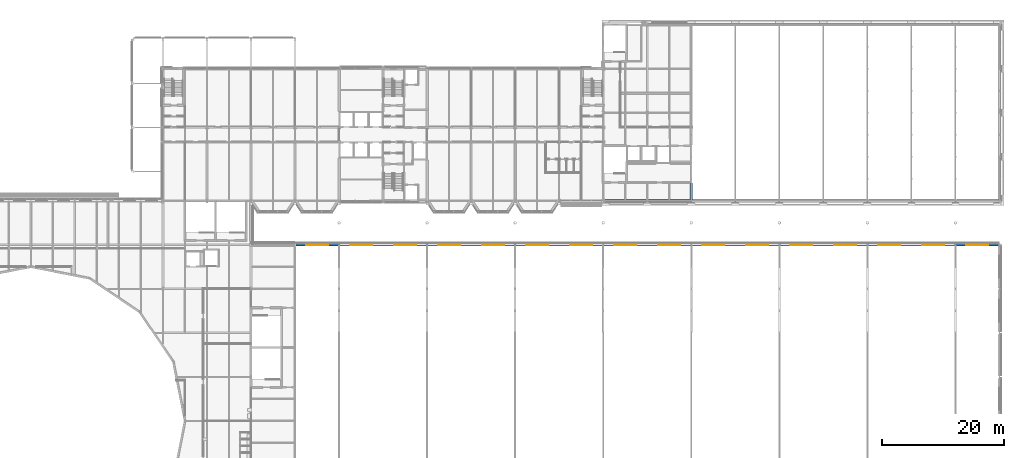
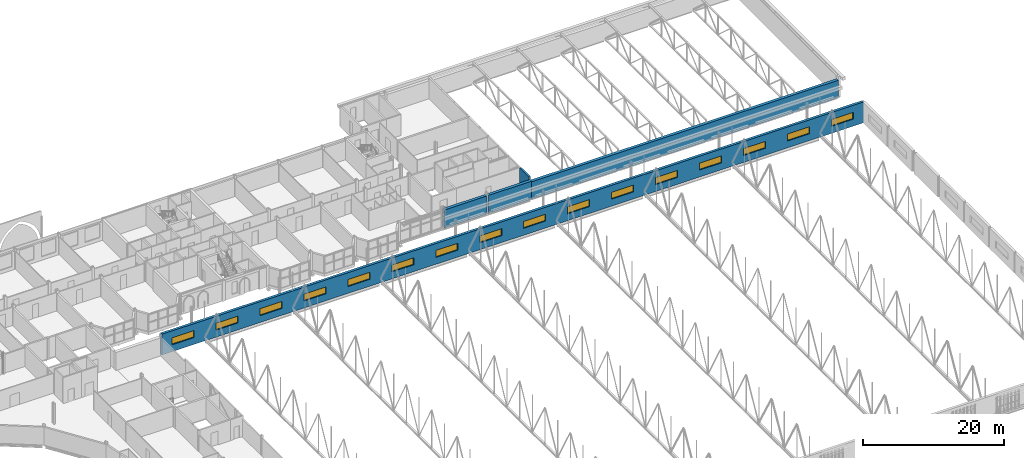
# One storey, part 102 of 142: 16 windows, 5 walls, 16 openings.
"""IFC4 building model written with IfcOpenShell, lengths in metres."""

from ifc_helpers import new_model, si_unit, direction, frame, frame_2d, origin, place, context, subcontext, project, spatial, rectangle, extrude, material, layer, layer_set, type_object, element, fill, save


model = new_model("IFC4")

# Units and contexts
model_context = context("Model", 3, precision=1e-05, world=origin(), true_north=direction((0.0, 1.0)))
body_context = subcontext(model_context, "Body", "Model", "MODEL_VIEW")
ifc_project = project(units=[si_unit("LENGTHUNIT", "METRE"), si_unit("AREAUNIT", "SQUARE_METRE"), si_unit("VOLUMEUNIT", "CUBIC_METRE"), si_unit("PLANEANGLEUNIT", "RADIAN"), si_unit("MASSUNIT", "GRAM", prefix="KILO")], contexts=[model_context])

# Site, building, storey
site_placement = place(None, origin())
site = spatial("IfcSite", under=ifc_project, at=site_placement, CompositionType="ELEMENT")
building_placement = place(site_placement, origin())
building = spatial("IfcBuilding", under=site, at=building_placement, Name="Kupolbacken Congress Centre", CompositionType="ELEMENT")
storey_placement = place(building_placement, frame((0.0, 0.0, 14.39990234375)))
storey = spatial("IfcBuildingStorey", under=building, at=storey_placement, Name="L04", CompositionType="ELEMENT", Elevation=14.39990234375)

# Wall, openings, windows
ifc_material_1 = material(Name="Brick", Category="masonry")
ifc_layer_1 = layer(ifc_material_1, 0.10791015625)
ifc_material_2 = material(Name="Air cavity", Category="air")
ifc_layer_2 = layer(ifc_material_2, 0.0400390625, ventilated=True)
ifc_material_3 = material(Name="Mineral wool", Category="insulation")
ifc_layer_3 = layer(ifc_material_3, 0.152099609375)
ifc_material_4 = material(Name="Concrete block", Category="masonry")
ifc_layer_4 = layer(ifc_material_4, 0.1201171875)
ifc_layer_set_1 = layer_set([ifc_layer_1, ifc_layer_2, ifc_layer_3, ifc_layer_4], Name="Brick / Mineral wool / Concrete block")
wall_type_1 = type_object("IfcWallType", Name="EW04 external cavity wall 420", PredefinedType="SOLIDWALL", material=ifc_layer_set_1)
wall_1_placement = place(storey_placement, frame((201.449951171875, 115.199951171875, 0.0), z_axis=(0.0, 0.0, 1.0), x_axis=(-1.0, 0.0, 0.0)))
wall_1 = element("IfcWall", 1, at=wall_1_placement, inside=storey, type_object=wall_type_1, Name="E/H/N/L04/438", PredefinedType="SOLIDWALL", context=body_context, shape_type="SweptSolid", body=[
    extrude(rectangle(XDim=114.89990234375, YDim=0.419921875, at=frame_2d((57.449951171875, 0.0))), origin(), (0.0, 0.0, 1.0), 3.60009765625),
])
opening_1_placement = place(wall_1_placement, frame((109.64990234375, 0.0, 1.199951171875)))
opening_1 = element("IfcOpeningElement", 2, at=opening_1_placement, cuts=wall_1, Name="Opening W12", PredefinedType="OPENING", context=body_context, shape_type="SweptSolid", body=[
    extrude(rectangle(XDim=3.60009765625, YDim=1.199951171875, at=frame_2d((1.800048828125, 0.60009765625))), frame((0.0, 0.219970703125, 0.0), z_axis=(0.0, -1.0, 0.0), x_axis=(1.0, 0.0, 0.0)), (0.0, 0.0, 1.0), 0.43994140625),
])
opening_2_placement = place(wall_1_placement, frame((102.449951171875, 0.0, 1.199951171875)))
opening_2 = element("IfcOpeningElement", 3, at=opening_2_placement, cuts=wall_1, Name="Opening W12", PredefinedType="OPENING", context=body_context, shape_type="SweptSolid", body=[
    extrude(rectangle(XDim=3.60009765625, YDim=1.199951171875, at=frame_2d((1.800048828125, 0.60009765625))), frame((0.0, 0.219970703125, 0.0), z_axis=(0.0, -1.0, 0.0), x_axis=(1.0, 0.0, 0.0)), (0.0, 0.0, 1.0), 0.43994140625),
])
opening_3_placement = place(wall_1_placement, frame((95.25, 0.0, 1.199951171875)))
opening_3 = element("IfcOpeningElement", 4, at=opening_3_placement, cuts=wall_1, Name="Opening W12", PredefinedType="OPENING", context=body_context, shape_type="SweptSolid", body=[
    extrude(rectangle(XDim=3.60009765625, YDim=1.199951171875, at=frame_2d((1.800048828125, 0.60009765625))), frame((0.0, 0.219970703125, 0.0), z_axis=(0.0, -1.0, 0.0), x_axis=(1.0, 0.0, 0.0)), (0.0, 0.0, 1.0), 0.43994140625),
])
opening_4_placement = place(wall_1_placement, frame((88.050048828125, 0.0, 1.199951171875)))
opening_4 = element("IfcOpeningElement", 5, at=opening_4_placement, cuts=wall_1, Name="Opening W12", PredefinedType="OPENING", context=body_context, shape_type="SweptSolid", body=[
    extrude(rectangle(XDim=3.60009765625, YDim=1.199951171875, at=frame_2d((1.800048828125, 0.60009765625))), frame((0.0, 0.219970703125, 0.0), z_axis=(0.0, -1.0, 0.0), x_axis=(1.0, 0.0, 0.0)), (0.0, 0.0, 1.0), 0.43994140625),
])
opening_5_placement = place(wall_1_placement, frame((80.85009765625, 0.0, 1.199951171875)))
opening_5 = element("IfcOpeningElement", 6, at=opening_5_placement, cuts=wall_1, Name="Opening W12", PredefinedType="OPENING", context=body_context, shape_type="SweptSolid", body=[
    extrude(rectangle(XDim=3.60009765625, YDim=1.199951171875, at=frame_2d((1.800048828125, 0.60009765625))), frame((0.0, 0.219970703125, 0.0), z_axis=(0.0, -1.0, 0.0), x_axis=(1.0, 0.0, 0.0)), (0.0, 0.0, 1.0), 0.43994140625),
])
opening_6_placement = place(wall_1_placement, frame((73.64990234375, 0.0, 1.199951171875)))
opening_6 = element("IfcOpeningElement", 7, at=opening_6_placement, cuts=wall_1, Name="Opening W12", PredefinedType="OPENING", context=body_context, shape_type="SweptSolid", body=[
    extrude(rectangle(XDim=3.60009765625, YDim=1.199951171875, at=frame_2d((1.800048828125, 0.60009765625))), frame((0.0, 0.219970703125, 0.0), z_axis=(0.0, -1.0, 0.0), x_axis=(1.0, 0.0, 0.0)), (0.0, 0.0, 1.0), 0.43994140625),
])
opening_7_placement = place(wall_1_placement, frame((66.449951171875, 0.0, 1.199951171875)))
opening_7 = element("IfcOpeningElement", 8, at=opening_7_placement, cuts=wall_1, Name="Opening W12", PredefinedType="OPENING", context=body_context, shape_type="SweptSolid", body=[
    extrude(rectangle(XDim=3.60009765625, YDim=1.199951171875, at=frame_2d((1.800048828125, 0.60009765625))), frame((0.0, 0.219970703125, 0.0), z_axis=(0.0, -1.0, 0.0), x_axis=(1.0, 0.0, 0.0)), (0.0, 0.0, 1.0), 0.43994140625),
])
opening_8_placement = place(wall_1_placement, frame((59.25, 0.0, 1.199951171875)))
opening_8 = element("IfcOpeningElement", 9, at=opening_8_placement, cuts=wall_1, Name="Opening W12", PredefinedType="OPENING", context=body_context, shape_type="SweptSolid", body=[
    extrude(rectangle(XDim=3.60009765625, YDim=1.199951171875, at=frame_2d((1.800048828125, 0.60009765625))), frame((0.0, 0.219970703125, 0.0), z_axis=(0.0, -1.0, 0.0), x_axis=(1.0, 0.0, 0.0)), (0.0, 0.0, 1.0), 0.43994140625),
])
opening_9_placement = place(wall_1_placement, frame((52.050048828125, 0.0, 1.199951171875)))
opening_9 = element("IfcOpeningElement", 10, at=opening_9_placement, cuts=wall_1, Name="Opening W12", PredefinedType="OPENING", context=body_context, shape_type="SweptSolid", body=[
    extrude(rectangle(XDim=3.60009765625, YDim=1.199951171875, at=frame_2d((1.800048828125, 0.60009765625))), frame((0.0, 0.219970703125, 0.0), z_axis=(0.0, -1.0, 0.0), x_axis=(1.0, 0.0, 0.0)), (0.0, 0.0, 1.0), 0.43994140625),
])
opening_10_placement = place(wall_1_placement, frame((44.85009765625, 0.0, 1.199951171875)))
opening_10 = element("IfcOpeningElement", 11, at=opening_10_placement, cuts=wall_1, Name="Opening W12", PredefinedType="OPENING", context=body_context, shape_type="SweptSolid", body=[
    extrude(rectangle(XDim=3.60009765625, YDim=1.199951171875, at=frame_2d((1.800048828125, 0.60009765625))), frame((0.0, 0.219970703125, 0.0), z_axis=(0.0, -1.0, 0.0), x_axis=(1.0, 0.0, 0.0)), (0.0, 0.0, 1.0), 0.43994140625),
])
opening_11_placement = place(wall_1_placement, frame((37.64990234375, 0.0, 1.199951171875)))
opening_11 = element("IfcOpeningElement", 12, at=opening_11_placement, cuts=wall_1, Name="Opening W12", PredefinedType="OPENING", context=body_context, shape_type="SweptSolid", body=[
    extrude(rectangle(XDim=3.60009765625, YDim=1.199951171875, at=frame_2d((1.800048828125, 0.60009765625))), frame((0.0, 0.219970703125, 0.0), z_axis=(0.0, -1.0, 0.0), x_axis=(1.0, 0.0, 0.0)), (0.0, 0.0, 1.0), 0.43994140625),
])
opening_12_placement = place(wall_1_placement, frame((30.449951171875, 0.0, 1.199951171875)))
opening_12 = element("IfcOpeningElement", 13, at=opening_12_placement, cuts=wall_1, Name="Opening W12", PredefinedType="OPENING", context=body_context, shape_type="SweptSolid", body=[
    extrude(rectangle(XDim=3.60009765625, YDim=1.199951171875, at=frame_2d((1.800048828125, 0.60009765625))), frame((0.0, 0.219970703125, 0.0), z_axis=(0.0, -1.0, 0.0), x_axis=(1.0, 0.0, 0.0)), (0.0, 0.0, 1.0), 0.43994140625),
])
opening_13_placement = place(wall_1_placement, frame((23.25, 0.0, 1.199951171875)))
opening_13 = element("IfcOpeningElement", 14, at=opening_13_placement, cuts=wall_1, Name="Opening W12", PredefinedType="OPENING", context=body_context, shape_type="SweptSolid", body=[
    extrude(rectangle(XDim=3.60009765625, YDim=1.199951171875, at=frame_2d((1.800048828125, 0.60009765625))), frame((0.0, 0.219970703125, 0.0), z_axis=(0.0, -1.0, 0.0), x_axis=(1.0, 0.0, 0.0)), (0.0, 0.0, 1.0), 0.43994140625),
])
opening_14_placement = place(wall_1_placement, frame((16.050048828125, 0.0, 1.199951171875)))
opening_14 = element("IfcOpeningElement", 15, at=opening_14_placement, cuts=wall_1, Name="Opening W12", PredefinedType="OPENING", context=body_context, shape_type="SweptSolid", body=[
    extrude(rectangle(XDim=3.60009765625, YDim=1.199951171875, at=frame_2d((1.800048828125, 0.60009765625))), frame((0.0, 0.219970703125, 0.0), z_axis=(0.0, -1.0, 0.0), x_axis=(1.0, 0.0, 0.0)), (0.0, 0.0, 1.0), 0.43994140625),
])
opening_15_placement = place(wall_1_placement, frame((8.85009765625, 0.0, 1.199951171875)))
opening_15 = element("IfcOpeningElement", 16, at=opening_15_placement, cuts=wall_1, Name="Opening W12", PredefinedType="OPENING", context=body_context, shape_type="SweptSolid", body=[
    extrude(rectangle(XDim=3.60009765625, YDim=1.199951171875, at=frame_2d((1.800048828125, 0.60009765625))), frame((0.0, 0.219970703125, 0.0), z_axis=(0.0, -1.0, 0.0), x_axis=(1.0, 0.0, 0.0)), (0.0, 0.0, 1.0), 0.43994140625),
])
opening_16_placement = place(wall_1_placement, frame((1.64990234375, 0.0, 1.199951171875)))
opening_16 = element("IfcOpeningElement", 17, at=opening_16_placement, cuts=wall_1, Name="Opening W12", PredefinedType="OPENING", context=body_context, shape_type="SweptSolid", body=[
    extrude(rectangle(XDim=3.60009765625, YDim=1.199951171875, at=frame_2d((1.800048828125, 0.60009765625))), frame((0.0, 0.219970703125, 0.0), z_axis=(0.0, -1.0, 0.0), x_axis=(1.0, 0.0, 0.0)), (0.0, 0.0, 1.0), 0.43994140625),
])
ifc_material_5 = material(Name="Aluminium frame with double or triple glazing", Category="aluminium")
window_type = type_object("IfcWindowType", Name="W12 window 3600x1200", PartitioningType="TRIPLE_PANEL_VERTICAL", PredefinedType="WINDOW", material=ifc_material_5)
window_1_placement = place(opening_1_placement, origin())
window_1 = element("IfcWindow", 18, at=window_1_placement, inside=storey, type_object=window_type, Name="E/H/N/L04/438/W1", OverallHeight=1.199951171875, OverallWidth=3.60009765625, PartitioningType="SINGLE_PANEL", PredefinedType="WINDOW", context=body_context, shape_type="SweptSolid", body=[
    extrude(rectangle(XDim=3.60009765625, YDim=1.199951171875, at=frame_2d((1.800048828125, 0.60009765625))), frame((0.0, 0.030029296875, 0.0), z_axis=(0.0, -1.0, 0.0), x_axis=(1.0, 0.0, 0.0)), (0.0, 0.0, 1.0), 0.06005859375),
])
fill(opening_1, window_1)
window_2_placement = place(opening_2_placement, origin())
window_2 = element("IfcWindow", 19, at=window_2_placement, inside=storey, type_object=window_type, Name="E/H/N/L04/438/W2", OverallHeight=1.199951171875, OverallWidth=3.60009765625, PartitioningType="SINGLE_PANEL", PredefinedType="WINDOW", context=body_context, shape_type="SweptSolid", body=[
    extrude(rectangle(XDim=3.60009765625, YDim=1.199951171875, at=frame_2d((1.800048828125, 0.60009765625))), frame((0.0, 0.030029296875, 0.0), z_axis=(0.0, -1.0, 0.0), x_axis=(1.0, 0.0, 0.0)), (0.0, 0.0, 1.0), 0.06005859375),
])
fill(opening_2, window_2)
window_3_placement = place(opening_3_placement, origin())
window_3 = element("IfcWindow", 20, at=window_3_placement, inside=storey, type_object=window_type, Name="E/H/N/L04/438/W3", OverallHeight=1.199951171875, OverallWidth=3.60009765625, PartitioningType="SINGLE_PANEL", PredefinedType="WINDOW", context=body_context, shape_type="SweptSolid", body=[
    extrude(rectangle(XDim=3.60009765625, YDim=1.199951171875, at=frame_2d((1.800048828125, 0.60009765625))), frame((0.0, 0.030029296875, 0.0), z_axis=(0.0, -1.0, 0.0), x_axis=(1.0, 0.0, 0.0)), (0.0, 0.0, 1.0), 0.06005859375),
])
fill(opening_3, window_3)
window_4_placement = place(opening_4_placement, origin())
window_4 = element("IfcWindow", 21, at=window_4_placement, inside=storey, type_object=window_type, Name="E/H/N/L04/438/W4", OverallHeight=1.199951171875, OverallWidth=3.60009765625, PartitioningType="SINGLE_PANEL", PredefinedType="WINDOW", context=body_context, shape_type="SweptSolid", body=[
    extrude(rectangle(XDim=3.60009765625, YDim=1.199951171875, at=frame_2d((1.800048828125, 0.60009765625))), frame((0.0, 0.030029296875, 0.0), z_axis=(0.0, -1.0, 0.0), x_axis=(1.0, 0.0, 0.0)), (0.0, 0.0, 1.0), 0.06005859375),
])
fill(opening_4, window_4)
window_5_placement = place(opening_5_placement, origin())
window_5 = element("IfcWindow", 22, at=window_5_placement, inside=storey, type_object=window_type, Name="E/H/N/L04/438/W5", OverallHeight=1.199951171875, OverallWidth=3.60009765625, PartitioningType="SINGLE_PANEL", PredefinedType="WINDOW", context=body_context, shape_type="SweptSolid", body=[
    extrude(rectangle(XDim=3.60009765625, YDim=1.199951171875, at=frame_2d((1.800048828125, 0.60009765625))), frame((0.0, 0.030029296875, 0.0), z_axis=(0.0, -1.0, 0.0), x_axis=(1.0, 0.0, 0.0)), (0.0, 0.0, 1.0), 0.06005859375),
])
fill(opening_5, window_5)
window_6_placement = place(opening_6_placement, origin())
window_6 = element("IfcWindow", 23, at=window_6_placement, inside=storey, type_object=window_type, Name="E/H/N/L04/438/W6", OverallHeight=1.199951171875, OverallWidth=3.60009765625, PartitioningType="SINGLE_PANEL", PredefinedType="WINDOW", context=body_context, shape_type="SweptSolid", body=[
    extrude(rectangle(XDim=3.60009765625, YDim=1.199951171875, at=frame_2d((1.800048828125, 0.60009765625))), frame((0.0, 0.030029296875, 0.0), z_axis=(0.0, -1.0, 0.0), x_axis=(1.0, 0.0, 0.0)), (0.0, 0.0, 1.0), 0.06005859375),
])
fill(opening_6, window_6)
window_7_placement = place(opening_7_placement, origin())
window_7 = element("IfcWindow", 24, at=window_7_placement, inside=storey, type_object=window_type, Name="E/H/N/L04/438/W7", OverallHeight=1.199951171875, OverallWidth=3.60009765625, PartitioningType="SINGLE_PANEL", PredefinedType="WINDOW", context=body_context, shape_type="SweptSolid", body=[
    extrude(rectangle(XDim=3.60009765625, YDim=1.199951171875, at=frame_2d((1.800048828125, 0.60009765625))), frame((0.0, 0.030029296875, 0.0), z_axis=(0.0, -1.0, 0.0), x_axis=(1.0, 0.0, 0.0)), (0.0, 0.0, 1.0), 0.06005859375),
])
fill(opening_7, window_7)
window_8_placement = place(opening_8_placement, origin())
window_8 = element("IfcWindow", 25, at=window_8_placement, inside=storey, type_object=window_type, Name="E/H/N/L04/438/W8", OverallHeight=1.199951171875, OverallWidth=3.60009765625, PartitioningType="SINGLE_PANEL", PredefinedType="WINDOW", context=body_context, shape_type="SweptSolid", body=[
    extrude(rectangle(XDim=3.60009765625, YDim=1.199951171875, at=frame_2d((1.800048828125, 0.60009765625))), frame((0.0, 0.030029296875, 0.0), z_axis=(0.0, -1.0, 0.0), x_axis=(1.0, 0.0, 0.0)), (0.0, 0.0, 1.0), 0.06005859375),
])
fill(opening_8, window_8)
window_9_placement = place(opening_9_placement, origin())
window_9 = element("IfcWindow", 26, at=window_9_placement, inside=storey, type_object=window_type, Name="E/H/N/L04/438/W9", OverallHeight=1.199951171875, OverallWidth=3.60009765625, PartitioningType="SINGLE_PANEL", PredefinedType="WINDOW", context=body_context, shape_type="SweptSolid", body=[
    extrude(rectangle(XDim=3.60009765625, YDim=1.199951171875, at=frame_2d((1.800048828125, 0.60009765625))), frame((0.0, 0.030029296875, 0.0), z_axis=(0.0, -1.0, 0.0), x_axis=(1.0, 0.0, 0.0)), (0.0, 0.0, 1.0), 0.06005859375),
])
fill(opening_9, window_9)
window_10_placement = place(opening_10_placement, origin())
window_10 = element("IfcWindow", 27, at=window_10_placement, inside=storey, type_object=window_type, Name="E/H/N/L04/438/W10", OverallHeight=1.199951171875, OverallWidth=3.60009765625, PartitioningType="SINGLE_PANEL", PredefinedType="WINDOW", context=body_context, shape_type="SweptSolid", body=[
    extrude(rectangle(XDim=3.60009765625, YDim=1.199951171875, at=frame_2d((1.800048828125, 0.60009765625))), frame((0.0, 0.030029296875, 0.0), z_axis=(0.0, -1.0, 0.0), x_axis=(1.0, 0.0, 0.0)), (0.0, 0.0, 1.0), 0.06005859375),
])
fill(opening_10, window_10)
window_11_placement = place(opening_11_placement, origin())
window_11 = element("IfcWindow", 28, at=window_11_placement, inside=storey, type_object=window_type, Name="E/H/N/L04/438/W11", OverallHeight=1.199951171875, OverallWidth=3.60009765625, PartitioningType="SINGLE_PANEL", PredefinedType="WINDOW", context=body_context, shape_type="SweptSolid", body=[
    extrude(rectangle(XDim=3.60009765625, YDim=1.199951171875, at=frame_2d((1.800048828125, 0.60009765625))), frame((0.0, 0.030029296875, 0.0), z_axis=(0.0, -1.0, 0.0), x_axis=(1.0, 0.0, 0.0)), (0.0, 0.0, 1.0), 0.06005859375),
])
fill(opening_11, window_11)
window_12_placement = place(opening_12_placement, origin())
window_12 = element("IfcWindow", 29, at=window_12_placement, inside=storey, type_object=window_type, Name="E/H/N/L04/438/W12", OverallHeight=1.199951171875, OverallWidth=3.60009765625, PartitioningType="SINGLE_PANEL", PredefinedType="WINDOW", context=body_context, shape_type="SweptSolid", body=[
    extrude(rectangle(XDim=3.60009765625, YDim=1.199951171875, at=frame_2d((1.800048828125, 0.60009765625))), frame((0.0, 0.030029296875, 0.0), z_axis=(0.0, -1.0, 0.0), x_axis=(1.0, 0.0, 0.0)), (0.0, 0.0, 1.0), 0.06005859375),
])
fill(opening_12, window_12)
window_13_placement = place(opening_13_placement, origin())
window_13 = element("IfcWindow", 30, at=window_13_placement, inside=storey, type_object=window_type, Name="E/H/N/L04/438/W13", OverallHeight=1.199951171875, OverallWidth=3.60009765625, PartitioningType="SINGLE_PANEL", PredefinedType="WINDOW", context=body_context, shape_type="SweptSolid", body=[
    extrude(rectangle(XDim=3.60009765625, YDim=1.199951171875, at=frame_2d((1.800048828125, 0.60009765625))), frame((0.0, 0.030029296875, 0.0), z_axis=(0.0, -1.0, 0.0), x_axis=(1.0, 0.0, 0.0)), (0.0, 0.0, 1.0), 0.06005859375),
])
fill(opening_13, window_13)
window_14_placement = place(opening_14_placement, origin())
window_14 = element("IfcWindow", 31, at=window_14_placement, inside=storey, type_object=window_type, Name="E/H/N/L04/438/W14", OverallHeight=1.199951171875, OverallWidth=3.60009765625, PartitioningType="SINGLE_PANEL", PredefinedType="WINDOW", context=body_context, shape_type="SweptSolid", body=[
    extrude(rectangle(XDim=3.60009765625, YDim=1.199951171875, at=frame_2d((1.800048828125, 0.60009765625))), frame((0.0, 0.030029296875, 0.0), z_axis=(0.0, -1.0, 0.0), x_axis=(1.0, 0.0, 0.0)), (0.0, 0.0, 1.0), 0.06005859375),
])
fill(opening_14, window_14)
window_15_placement = place(opening_15_placement, origin())
window_15 = element("IfcWindow", 32, at=window_15_placement, inside=storey, type_object=window_type, Name="E/H/N/L04/438/W15", OverallHeight=1.199951171875, OverallWidth=3.60009765625, PartitioningType="SINGLE_PANEL", PredefinedType="WINDOW", context=body_context, shape_type="SweptSolid", body=[
    extrude(rectangle(XDim=3.60009765625, YDim=1.199951171875, at=frame_2d((1.800048828125, 0.60009765625))), frame((0.0, 0.030029296875, 0.0), z_axis=(0.0, -1.0, 0.0), x_axis=(1.0, 0.0, 0.0)), (0.0, 0.0, 1.0), 0.06005859375),
])
fill(opening_15, window_15)
window_16_placement = place(opening_16_placement, origin())
window_16 = element("IfcWindow", 33, at=window_16_placement, inside=storey, type_object=window_type, Name="E/H/N/L04/438/W16", OverallHeight=1.199951171875, OverallWidth=3.60009765625, PartitioningType="SINGLE_PANEL", PredefinedType="WINDOW", context=body_context, shape_type="SweptSolid", body=[
    extrude(rectangle(XDim=3.60009765625, YDim=1.199951171875, at=frame_2d((1.800048828125, 0.60009765625))), frame((0.0, 0.030029296875, 0.0), z_axis=(0.0, -1.0, 0.0), x_axis=(1.0, 0.0, 0.0)), (0.0, 0.0, 1.0), 0.06005859375),
])
fill(opening_16, window_16)

# Walls
ifc_material_6 = material(Name="Limestone", Category="masonry")
ifc_layer_5 = layer(ifc_material_6, 0.14990234375)
ifc_layer_6 = layer(ifc_material_2, 0.0400390625, ventilated=True)
ifc_layer_7 = layer(ifc_material_3, 0.169921875)
ifc_layer_8 = layer(ifc_material_4, 0.1201171875)
ifc_layer_set_2 = layer_set([ifc_layer_5, ifc_layer_6, ifc_layer_7, ifc_layer_8], Name="Limestone / Mineral wool / Concrete block")
wall_type_2 = type_object("IfcWallType", Name="EW07 external cavity wall 480", PredefinedType="SOLIDWALL", material=ifc_layer_set_2)
wall_2_placement = place(storey_placement, frame((151.199951171875, 122.39990234375, 0.0), z_axis=(0.0, 0.0, 1.0), x_axis=(1.0, 0.0, 0.0)))
element("IfcWall", 34, at=wall_2_placement, inside=storey, type_object=wall_type_2, Name="E/B/S/L04/399", PredefinedType="SOLIDWALL", context=body_context, shape_type="SweptSolid", body=[
    extrude(rectangle(XDim=50.2900390625, YDim=0.47998046875, at=frame_2d((25.14501953125, 0.0))), origin(), (0.0, 0.0, 1.0), 3.009033203125),
])
wall_3_placement = place(storey_placement, frame((136.949951171875, 122.39990234375, 0.0), z_axis=(0.0, 0.0, 1.0), x_axis=(1.0, 0.0, 0.0)))
element("IfcWall", 35, at=wall_3_placement, inside=storey, type_object=wall_type_2, Name="E/BF/S/L04/404", PredefinedType="SOLIDWALL", context=body_context, shape_type="SweptSolid", body=[
    extrude(rectangle(XDim=6.900146484375, YDim=0.47998046875, at=frame_2d((3.4501953125, 0.0))), origin(), (0.0, 0.0, 1.0), 3.1201171875),
])
wall_4_placement = place(storey_placement, frame((144.14990234375, 122.39990234375, 0.0), z_axis=(0.0, 0.0, 1.0), x_axis=(1.0, 0.0, 0.0)))
element("IfcWall", 36, at=wall_4_placement, inside=storey, type_object=wall_type_2, Name="E/BF/S/L04/405", PredefinedType="SOLIDWALL", context=body_context, shape_type="SweptSolid", body=[
    extrude(rectangle(XDim=7.050048828125, YDim=0.47998046875, at=frame_2d((3.52490234375, 0.0))), origin(), (0.0, 0.0, 1.0), 3.1201171875),
])
ifc_material_7 = material(Name="Gypsum board", Category="drywall")
ifc_layer_9 = layer(ifc_material_7, 0.27490234375)
ifc_layer_set_3 = layer_set([ifc_layer_9], Name="Gypsum board")
wall_type_3 = type_object("IfcWallType", Name="P12 partition 275", PredefinedType="PARTITIONING", material=ifc_layer_set_3)
wall_5_placement = place(storey_placement, frame((151.199951171875, 122.639892578125, 0.0), z_axis=(0.0, 0.0, 1.0), x_axis=(0.0, 1.0, 0.0)))
element("IfcWall", 37, at=wall_5_placement, inside=storey, type_object=wall_type_3, Name="PD/L04/W018", PredefinedType="PARTITIONING", context=body_context, shape_type="SweptSolid", body=[
    extrude(rectangle(XDim=2.60009765625, YDim=0.27490234375, at=frame_2d((1.300048828125, 0.0))), origin(), (0.0, 0.0, 1.0), 3.60009765625),
])

save(model, "model.ifc")
